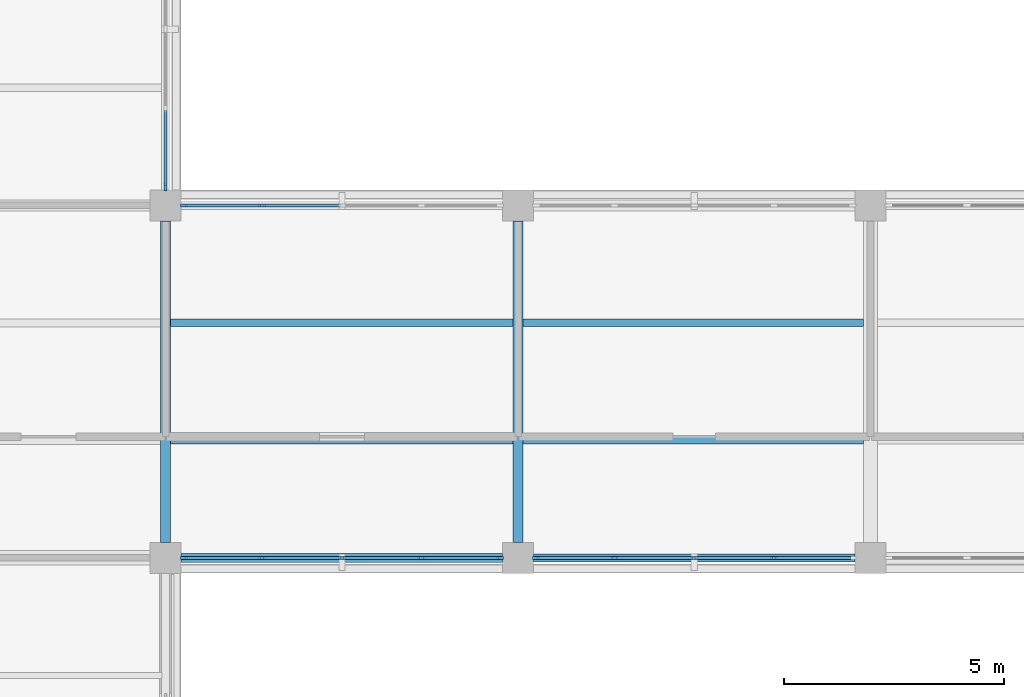
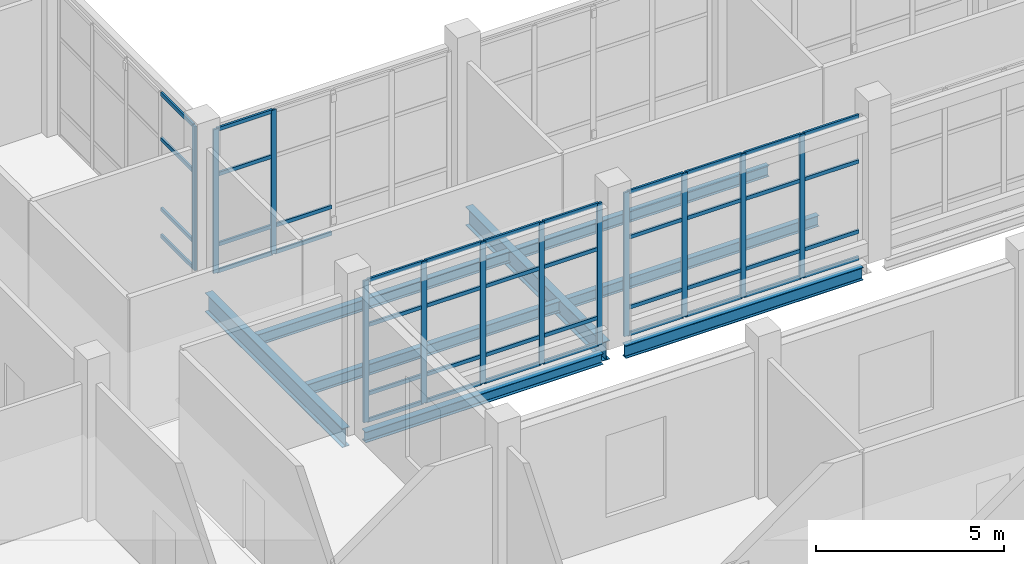
# One storey, part 11 of 105: 54 members, 8 beams, 4 elements without a shape of their own.
"""IFC4 building model written with IfcOpenShell, lengths in metres."""

from ifc_helpers import new_model, si_unit, derived_unit, direction, frame, origin, origin_2d, place, context, subcontext, project, spatial, rectangle, i_section, extrude, material, layer, layer_set, material_profile, profile_set, type_object, element, aggregate, save


model = new_model("IFC4")

# Units and contexts
model_context = context("Model", 3, precision=1e-05, world=origin(), true_north=direction((0.0, 1.0)))
body_context = subcontext(model_context, "Body", "Model", "MODEL_VIEW")
ifc_project = project(units=[si_unit("LENGTHUNIT", "METRE"), si_unit("AREAUNIT", "SQUARE_METRE"), si_unit("VOLUMEUNIT", "CUBIC_METRE"), si_unit("PLANEANGLEUNIT", "RADIAN"), si_unit("MASSUNIT", "GRAM", prefix="KILO"), derived_unit("THERMALTRANSMITTANCEUNIT", [(si_unit("MASSUNIT", "GRAM", prefix="KILO"), 1), (si_unit("TIMEUNIT", "SECOND"), -3), (si_unit("THERMODYNAMICTEMPERATUREUNIT", "KELVIN"), -1)])], contexts=[model_context])

# Site, building, storey
site_placement = place(None, origin())
site = spatial("IfcSite", under=ifc_project, at=site_placement, CompositionType="ELEMENT")
building_placement = place(site_placement, origin())
building = spatial("IfcBuilding", under=site, at=building_placement, Name="Veyamyaing Civic Hall", CompositionType="ELEMENT")
storey_placement = place(building_placement, origin())
storey = spatial("IfcBuildingStorey", under=building, at=storey_placement, Name="L00", CompositionType="ELEMENT", Elevation=0.0)

# Beams
ifc_material_1 = material(Name="Steel ASTM A992", Category="steel")
ifc_material_profile_1 = material_profile(ifc_material_1, i_section(OverallWidth=0.22998046875, OverallDepth=0.616943359375, WebThickness=0.01318359375, FlangeThickness=0.022216796875, FilletRadius=0.012939453125, at=origin_2d()), Name="W610X140")
ifc_profile_set_1 = profile_set([ifc_material_profile_1], Name="Steel ASTM A992")
beam_type_1 = type_object("IfcBeamType", Name="B-05", PredefinedType="BEAM", material=ifc_profile_set_1)
beam_1_placement = place(storey_placement, frame((16.0, 48.35009765625, -0.573486328125), z_axis=(0.0, 1.0, 0.0), x_axis=(-1.0, 0.0, 0.0)))
element("IfcBeam", 1, at=beam_1_placement, inside=storey, type_object=beam_type_1, Name="Girder B-05 L00 Grid 3 G-H", PredefinedType="BEAM", context=body_context, shape_type="SweptSolid", body=[
    extrude(i_section(OverallWidth=0.22998046875, OverallDepth=0.616943359375, WebThickness=0.01318359375, FlangeThickness=0.022216796875, FilletRadius=0.012939453125, at=origin_2d()), origin(), (0.0, 0.0, 1.0), 7.2998046875),
])
ifc_material_profile_2 = material_profile(ifc_material_1, i_section(OverallWidth=0.22802734375, OverallDepth=0.60791015625, WebThickness=0.01123046875, FlangeThickness=0.017333984375, FilletRadius=0.012939453125, at=origin_2d()), Name="W610X113")
ifc_profile_set_2 = profile_set([ifc_material_profile_2], Name="Steel ASTM A992")
beam_type_2 = type_object("IfcBeamType", Name="B-06", PredefinedType="BEAM", material=ifc_profile_set_2)
beam_2_placement = place(storey_placement, frame((24.0, 48.35009765625, -0.569091796875), z_axis=(0.0, 1.0, 0.0), x_axis=(-1.0, 0.0, 0.0)))
element("IfcBeam", 2, at=beam_2_placement, inside=storey, type_object=beam_type_2, Name="Girder B-06 L00 Grid 4 G-H", PredefinedType="BEAM", context=body_context, shape_type="SweptSolid", body=[
    extrude(i_section(OverallWidth=0.22802734375, OverallDepth=0.60791015625, WebThickness=0.01123046875, FlangeThickness=0.017333984375, FilletRadius=0.012939453125, at=origin_2d()), origin(), (0.0, 0.0, 1.0), 7.2998046875),
])
ifc_material_profile_3 = material_profile(ifc_material_1, i_section(OverallWidth=0.2041015625, OverallDepth=0.35009765625, WebThickness=0.0078125, FlangeThickness=0.01513671875, FilletRadius=0.010009765625, at=origin_2d()), Name="W360X72")
ifc_profile_set_3 = profile_set([ifc_material_profile_3], Name="Steel ASTM A992")
beam_type_3 = type_object("IfcBeamType", Name="B-11", PredefinedType="SPANDREL", material=ifc_profile_set_3)
beam_3_placement = place(storey_placement, frame((16.35009765625, 48.0, -0.43994140625), z_axis=(1.0, 0.0, 0.0), x_axis=(0.0, 1.0, 0.0)))
element("IfcBeam", 3, at=beam_3_placement, inside=storey, type_object=beam_type_3, Name="Girder B-11 L00 Grid G 3-4", PredefinedType="SPANDREL", context=body_context, shape_type="SweptSolid", body=[
    extrude(i_section(OverallWidth=0.2041015625, OverallDepth=0.35009765625, WebThickness=0.0078125, FlangeThickness=0.01513671875, FilletRadius=0.010009765625, at=origin_2d()), origin(), (0.0, 0.0, 1.0), 7.2998046875),
])
ifc_material_profile_4 = material_profile(ifc_material_1, i_section(OverallWidth=0.180908203125, OverallDepth=0.4169921875, WebThickness=0.010986328125, FlangeThickness=0.018310546875, FilletRadius=0.010009765625, at=origin_2d()), Name="W410X85")
ifc_profile_set_4 = profile_set([ifc_material_profile_4], Name="Steel ASTM A992")
beam_type_4 = type_object("IfcBeamType", Name="B-19", PredefinedType="SPANDREL", material=ifc_profile_set_4)
beam_4_placement = place(storey_placement, frame((24.35009765625, 48.0, -0.473388671875), z_axis=(1.0, 0.0, 0.0), x_axis=(0.0, 1.0, 0.0)))
element("IfcBeam", 4, at=beam_4_placement, inside=storey, type_object=beam_type_4, Name="Girder B-19 L00 Grid G 4-5", PredefinedType="SPANDREL", context=body_context, shape_type="SweptSolid", body=[
    extrude(i_section(OverallWidth=0.180908203125, OverallDepth=0.4169921875, WebThickness=0.010986328125, FlangeThickness=0.018310546875, FilletRadius=0.010009765625, at=origin_2d()), origin(), (0.0, 0.0, 1.0), 7.2998046875),
])

# Curtain wall, member
ifc_material_2 = material(Name="Anodised aluminium 6063-T6", Category="aluminium")
ifc_layer = layer(ifc_material_2, 0.159912109375, Name="Anodised aluminium 6063-T6")
ifc_layer_set = layer_set([ifc_layer], Name="Anodised aluminium 6063-T6")
curtain_wall_type = type_object("IfcCurtainWallType", Name="CW-01", PredefinedType="NOTDEFINED", material=ifc_layer_set)
curtain_wall_1_placement = place(storey_placement, origin())
curtain_wall_1 = element("IfcCurtainWall", 5, at=curtain_wall_1_placement, inside=storey, type_object=curtain_wall_type, Name="Unitized curtain wall CW-01 L00 E 2.8", PredefinedType="NOTDEFINED")
ifc_material_profile_5 = material_profile(ifc_material_2, rectangle(XDim=0.06494140625, YDim=0.159912109375, at=origin_2d()), Name="ALU-MUL-65X160")
ifc_profile_set_5 = profile_set([ifc_material_profile_5], Name="Anodised aluminium 6063-T6")
member_type_1 = type_object("IfcMemberType", Name="CWM-01", PredefinedType="MULLION", material=ifc_profile_set_5)
member_1_placement = place(storey_placement, frame((16.0, 56.41259765625, 0.0), z_axis=(0.0, 0.0, 1.0), x_axis=(-1.0, 0.0, 0.0)))
member_1 = element("IfcMember", 6, at=member_1_placement, type_object=member_type_1, Name="CW-01 mullion 1", PredefinedType="MULLION", context=body_context, shape_type="SweptSolid", body=[
    extrude(rectangle(XDim=0.06494140625, YDim=0.159912109375, at=origin_2d()), origin(), (0.0, 0.0, 1.0), 4.678955078125),
])

# Curtain wall, members
curtain_wall_2_placement = place(storey_placement, origin())
curtain_wall_2 = element("IfcCurtainWall", 7, at=curtain_wall_2_placement, inside=storey, type_object=curtain_wall_type, Name="Unitized curtain wall CW-01 L00 S 3.7", PredefinedType="NOTDEFINED")
member_2_placement = place(storey_placement, frame((16.41259765625, 48.0, 0.0), z_axis=(0.0, 0.0, 1.0), x_axis=(0.0, 1.0, 0.0)))
member_2 = element("IfcMember", 8, at=member_2_placement, type_object=member_type_1, Name="CW-01 mullion 1", PredefinedType="MULLION", context=body_context, shape_type="SweptSolid", body=[
    extrude(rectangle(XDim=0.06494140625, YDim=0.159912109375, at=origin_2d()), origin(), (0.0, 0.0, 1.0), 4.610107421875),
])
member_3_placement = place(storey_placement, frame((18.18994140625, 48.0, 0.0), z_axis=(0.0, 0.0, 1.0), x_axis=(0.0, 1.0, 0.0)))
member_3 = element("IfcMember", 9, at=member_3_placement, type_object=member_type_1, Name="CW-01 mullion 2", PredefinedType="MULLION", context=body_context, shape_type="SweptSolid", body=[
    extrude(rectangle(XDim=0.06494140625, YDim=0.159912109375, at=origin_2d()), origin(), (0.0, 0.0, 1.0), 4.610107421875),
])
member_4_placement = place(storey_placement, frame((20.0, 48.0, 0.0), z_axis=(0.0, 0.0, 1.0), x_axis=(0.0, 1.0, 0.0)))
member_4 = element("IfcMember", 10, at=member_4_placement, type_object=member_type_1, Name="CW-01 mullion 3", PredefinedType="MULLION", context=body_context, shape_type="SweptSolid", body=[
    extrude(rectangle(XDim=0.06494140625, YDim=0.159912109375, at=origin_2d()), origin(), (0.0, 0.0, 1.0), 4.610107421875),
])
member_5_placement = place(storey_placement, frame((21.81005859375, 48.0, 0.0), z_axis=(0.0, 0.0, 1.0), x_axis=(0.0, 1.0, 0.0)))
member_5 = element("IfcMember", 11, at=member_5_placement, type_object=member_type_1, Name="CW-01 mullion 4", PredefinedType="MULLION", context=body_context, shape_type="SweptSolid", body=[
    extrude(rectangle(XDim=0.06494140625, YDim=0.159912109375, at=origin_2d()), origin(), (0.0, 0.0, 1.0), 4.610107421875),
])
member_6_placement = place(storey_placement, frame((23.58740234375, 48.0, 0.0), z_axis=(0.0, 0.0, 1.0), x_axis=(0.0, 1.0, 0.0)))
member_6 = element("IfcMember", 12, at=member_6_placement, type_object=member_type_1, Name="CW-01 mullion 5", PredefinedType="MULLION", context=body_context, shape_type="SweptSolid", body=[
    extrude(rectangle(XDim=0.06494140625, YDim=0.159912109375, at=origin_2d()), origin(), (0.0, 0.0, 1.0), 4.610107421875),
])

curtain_wall_3_placement = place(storey_placement, origin())
curtain_wall_3 = element("IfcCurtainWall", 13, at=curtain_wall_3_placement, inside=storey, type_object=curtain_wall_type, Name="Unitized curtain wall CW-01 L00 N 3.7", PredefinedType="NOTDEFINED")
member_7_placement = place(storey_placement, frame((16.41259765625, 56.0, 0.0), z_axis=(0.0, 0.0, 1.0), x_axis=(0.0, 1.0, 0.0)))
member_7 = element("IfcMember", 14, at=member_7_placement, type_object=member_type_1, Name="CW-01 mullion 1", PredefinedType="MULLION", context=body_context, shape_type="SweptSolid", body=[
    extrude(rectangle(XDim=0.06494140625, YDim=0.159912109375, at=origin_2d()), origin(), (0.0, 0.0, 1.0), 4.674072265625),
])
member_8_placement = place(storey_placement, frame((18.18994140625, 56.0, 0.0), z_axis=(0.0, 0.0, 1.0), x_axis=(0.0, 1.0, 0.0)))
member_8 = element("IfcMember", 15, at=member_8_placement, type_object=member_type_1, Name="CW-01 mullion 2", PredefinedType="MULLION", context=body_context, shape_type="SweptSolid", body=[
    extrude(rectangle(XDim=0.06494140625, YDim=0.159912109375, at=origin_2d()), origin(), (0.0, 0.0, 1.0), 4.674072265625),
])

curtain_wall_4_placement = place(storey_placement, origin())
curtain_wall_4 = element("IfcCurtainWall", 16, at=curtain_wall_4_placement, inside=storey, type_object=curtain_wall_type, Name="Unitized curtain wall CW-01 L00 S 4.7", PredefinedType="NOTDEFINED")
member_9_placement = place(storey_placement, frame((24.41259765625, 48.0, 0.0), z_axis=(0.0, 0.0, 1.0), x_axis=(0.0, 1.0, 0.0)))
member_9 = element("IfcMember", 17, at=member_9_placement, type_object=member_type_1, Name="CW-01 mullion 1", PredefinedType="MULLION", context=body_context, shape_type="SweptSolid", body=[
    extrude(rectangle(XDim=0.06494140625, YDim=0.159912109375, at=origin_2d()), origin(), (0.0, 0.0, 1.0), 4.674072265625),
])
member_10_placement = place(storey_placement, frame((26.18994140625, 48.0, 0.0), z_axis=(0.0, 0.0, 1.0), x_axis=(0.0, 1.0, 0.0)))
member_10 = element("IfcMember", 18, at=member_10_placement, type_object=member_type_1, Name="CW-01 mullion 2", PredefinedType="MULLION", context=body_context, shape_type="SweptSolid", body=[
    extrude(rectangle(XDim=0.06494140625, YDim=0.159912109375, at=origin_2d()), origin(), (0.0, 0.0, 1.0), 4.674072265625),
])
member_11_placement = place(storey_placement, frame((28.0, 48.0, 0.0), z_axis=(0.0, 0.0, 1.0), x_axis=(0.0, 1.0, 0.0)))
member_11 = element("IfcMember", 19, at=member_11_placement, type_object=member_type_1, Name="CW-01 mullion 3", PredefinedType="MULLION", context=body_context, shape_type="SweptSolid", body=[
    extrude(rectangle(XDim=0.06494140625, YDim=0.159912109375, at=origin_2d()), origin(), (0.0, 0.0, 1.0), 4.674072265625),
])
member_12_placement = place(storey_placement, frame((29.81005859375, 48.0, 0.0), z_axis=(0.0, 0.0, 1.0), x_axis=(0.0, 1.0, 0.0)))
member_12 = element("IfcMember", 20, at=member_12_placement, type_object=member_type_1, Name="CW-01 mullion 4", PredefinedType="MULLION", context=body_context, shape_type="SweptSolid", body=[
    extrude(rectangle(XDim=0.06494140625, YDim=0.159912109375, at=origin_2d()), origin(), (0.0, 0.0, 1.0), 4.674072265625),
])

# Member
ifc_material_profile_6 = material_profile(ifc_material_2, rectangle(XDim=0.06494140625, YDim=0.1201171875, at=origin_2d()), Name="ALU-TRN-65X120")
ifc_profile_set_6 = profile_set([ifc_material_profile_6], Name="Anodised aluminium 6063-T6")
member_type_2 = type_object("IfcMemberType", Name="CWT-01", PredefinedType="USERDEFINED", material=ifc_profile_set_6)
member_13_placement = place(storey_placement, frame((16.0, 56.445068359375, 0.032470703125), z_axis=(0.0, 1.0, 0.0), x_axis=(-1.0, 0.0, 0.0)))
member_13 = element("IfcMember", 21, at=member_13_placement, type_object=member_type_2, Name="CW-01 transom 1.1", ObjectType="TRANSOM", PredefinedType="USERDEFINED", context=body_context, shape_type="SweptSolid", body=[
    extrude(rectangle(XDim=0.06494140625, YDim=0.1201171875, at=origin_2d()), origin(), (0.0, 0.0, 1.0), 1.71240234375),
])

member_14_placement = place(storey_placement, frame((16.0, 56.445068359375, 0.89990234375), z_axis=(0.0, 1.0, 0.0), x_axis=(-1.0, 0.0, 0.0)))
member_14 = element("IfcMember", 22, at=member_14_placement, type_object=member_type_2, Name="CW-01 transom 1.2", ObjectType="TRANSOM", PredefinedType="USERDEFINED", context=body_context, shape_type="SweptSolid", body=[
    extrude(rectangle(XDim=0.06494140625, YDim=0.1201171875, at=origin_2d()), origin(), (0.0, 0.0, 1.0), 1.71240234375),
])

member_15_placement = place(storey_placement, frame((16.0, 56.445068359375, 3.181640625), z_axis=(0.0, 1.0, 0.0), x_axis=(-1.0, 0.0, 0.0)))
member_15 = element("IfcMember", 23, at=member_15_placement, type_object=member_type_2, Name="CW-01 transom 1.3", ObjectType="TRANSOM", PredefinedType="USERDEFINED", context=body_context, shape_type="SweptSolid", body=[
    extrude(rectangle(XDim=0.06494140625, YDim=0.1201171875, at=origin_2d()), origin(), (0.0, 0.0, 1.0), 1.71240234375),
])

member_16_placement = place(storey_placement, frame((16.0, 56.445068359375, 4.646484375), z_axis=(0.0, 1.0, 0.0), x_axis=(-1.0, 0.0, 0.0)))
member_16 = element("IfcMember", 24, at=member_16_placement, type_object=member_type_2, Name="CW-01 transom 1.4", ObjectType="TRANSOM", PredefinedType="USERDEFINED", context=body_context, shape_type="SweptSolid", body=[
    extrude(rectangle(XDim=0.06494140625, YDim=0.1201171875, at=origin_2d()), origin(), (0.0, 0.0, 1.0), 1.71240234375),
])

aggregate(curtain_wall_1, [member_1, member_13, member_14, member_15, member_16])

member_17_placement = place(storey_placement, frame((16.445068359375, 48.0, 0.032470703125), z_axis=(1.0, 0.0, 0.0), x_axis=(0.0, 1.0, 0.0)))
member_17 = element("IfcMember", 25, at=member_17_placement, type_object=member_type_2, Name="CW-01 transom 1.1", ObjectType="TRANSOM", PredefinedType="USERDEFINED", context=body_context, shape_type="SweptSolid", body=[
    extrude(rectangle(XDim=0.06494140625, YDim=0.1201171875, at=origin_2d()), origin(), (0.0, 0.0, 1.0), 1.71240234375),
])

member_18_placement = place(storey_placement, frame((16.445068359375, 48.0, 0.89990234375), z_axis=(1.0, 0.0, 0.0), x_axis=(0.0, 1.0, 0.0)))
member_18 = element("IfcMember", 26, at=member_18_placement, type_object=member_type_2, Name="CW-01 transom 1.2", ObjectType="TRANSOM", PredefinedType="USERDEFINED", context=body_context, shape_type="SweptSolid", body=[
    extrude(rectangle(XDim=0.06494140625, YDim=0.1201171875, at=origin_2d()), origin(), (0.0, 0.0, 1.0), 1.71240234375),
])

member_19_placement = place(storey_placement, frame((16.445068359375, 48.0, 3.134765625), z_axis=(1.0, 0.0, 0.0), x_axis=(0.0, 1.0, 0.0)))
member_19 = element("IfcMember", 27, at=member_19_placement, type_object=member_type_2, Name="CW-01 transom 1.3", ObjectType="TRANSOM", PredefinedType="USERDEFINED", context=body_context, shape_type="SweptSolid", body=[
    extrude(rectangle(XDim=0.06494140625, YDim=0.1201171875, at=origin_2d()), origin(), (0.0, 0.0, 1.0), 1.71240234375),
])

member_20_placement = place(storey_placement, frame((16.445068359375, 48.0, 4.577392578125), z_axis=(1.0, 0.0, 0.0), x_axis=(0.0, 1.0, 0.0)))
member_20 = element("IfcMember", 28, at=member_20_placement, type_object=member_type_2, Name="CW-01 transom 1.4", ObjectType="TRANSOM", PredefinedType="USERDEFINED", context=body_context, shape_type="SweptSolid", body=[
    extrude(rectangle(XDim=0.06494140625, YDim=0.1201171875, at=origin_2d()), origin(), (0.0, 0.0, 1.0), 1.71240234375),
])

member_21_placement = place(storey_placement, frame((18.222412109375, 48.0, 0.032470703125), z_axis=(1.0, 0.0, 0.0), x_axis=(0.0, 1.0, 0.0)))
member_21 = element("IfcMember", 29, at=member_21_placement, type_object=member_type_2, Name="CW-01 transom 2.1", ObjectType="TRANSOM", PredefinedType="USERDEFINED", context=body_context, shape_type="SweptSolid", body=[
    extrude(rectangle(XDim=0.06494140625, YDim=0.1201171875, at=origin_2d()), origin(), (0.0, 0.0, 1.0), 1.7451171875),
])

member_22_placement = place(storey_placement, frame((18.222412109375, 48.0, 0.89990234375), z_axis=(1.0, 0.0, 0.0), x_axis=(0.0, 1.0, 0.0)))
member_22 = element("IfcMember", 30, at=member_22_placement, type_object=member_type_2, Name="CW-01 transom 2.2", ObjectType="TRANSOM", PredefinedType="USERDEFINED", context=body_context, shape_type="SweptSolid", body=[
    extrude(rectangle(XDim=0.06494140625, YDim=0.1201171875, at=origin_2d()), origin(), (0.0, 0.0, 1.0), 1.7451171875),
])

member_23_placement = place(storey_placement, frame((18.222412109375, 48.0, 3.134765625), z_axis=(1.0, 0.0, 0.0), x_axis=(0.0, 1.0, 0.0)))
member_23 = element("IfcMember", 31, at=member_23_placement, type_object=member_type_2, Name="CW-01 transom 2.3", ObjectType="TRANSOM", PredefinedType="USERDEFINED", context=body_context, shape_type="SweptSolid", body=[
    extrude(rectangle(XDim=0.06494140625, YDim=0.1201171875, at=origin_2d()), origin(), (0.0, 0.0, 1.0), 1.7451171875),
])

member_24_placement = place(storey_placement, frame((18.222412109375, 48.0, 4.577392578125), z_axis=(1.0, 0.0, 0.0), x_axis=(0.0, 1.0, 0.0)))
member_24 = element("IfcMember", 32, at=member_24_placement, type_object=member_type_2, Name="CW-01 transom 2.4", ObjectType="TRANSOM", PredefinedType="USERDEFINED", context=body_context, shape_type="SweptSolid", body=[
    extrude(rectangle(XDim=0.06494140625, YDim=0.1201171875, at=origin_2d()), origin(), (0.0, 0.0, 1.0), 1.7451171875),
])

member_25_placement = place(storey_placement, frame((20.032470703125, 48.0, 0.032470703125), z_axis=(1.0, 0.0, 0.0), x_axis=(0.0, 1.0, 0.0)))
member_25 = element("IfcMember", 33, at=member_25_placement, type_object=member_type_2, Name="CW-01 transom 3.1", ObjectType="TRANSOM", PredefinedType="USERDEFINED", context=body_context, shape_type="SweptSolid", body=[
    extrude(rectangle(XDim=0.06494140625, YDim=0.1201171875, at=origin_2d()), origin(), (0.0, 0.0, 1.0), 1.7451171875),
])

member_26_placement = place(storey_placement, frame((20.032470703125, 48.0, 0.89990234375), z_axis=(1.0, 0.0, 0.0), x_axis=(0.0, 1.0, 0.0)))
member_26 = element("IfcMember", 34, at=member_26_placement, type_object=member_type_2, Name="CW-01 transom 3.2", ObjectType="TRANSOM", PredefinedType="USERDEFINED", context=body_context, shape_type="SweptSolid", body=[
    extrude(rectangle(XDim=0.06494140625, YDim=0.1201171875, at=origin_2d()), origin(), (0.0, 0.0, 1.0), 1.7451171875),
])

member_27_placement = place(storey_placement, frame((20.032470703125, 48.0, 3.134765625), z_axis=(1.0, 0.0, 0.0), x_axis=(0.0, 1.0, 0.0)))
member_27 = element("IfcMember", 35, at=member_27_placement, type_object=member_type_2, Name="CW-01 transom 3.3", ObjectType="TRANSOM", PredefinedType="USERDEFINED", context=body_context, shape_type="SweptSolid", body=[
    extrude(rectangle(XDim=0.06494140625, YDim=0.1201171875, at=origin_2d()), origin(), (0.0, 0.0, 1.0), 1.7451171875),
])

member_28_placement = place(storey_placement, frame((20.032470703125, 48.0, 4.577392578125), z_axis=(1.0, 0.0, 0.0), x_axis=(0.0, 1.0, 0.0)))
member_28 = element("IfcMember", 36, at=member_28_placement, type_object=member_type_2, Name="CW-01 transom 3.4", ObjectType="TRANSOM", PredefinedType="USERDEFINED", context=body_context, shape_type="SweptSolid", body=[
    extrude(rectangle(XDim=0.06494140625, YDim=0.1201171875, at=origin_2d()), origin(), (0.0, 0.0, 1.0), 1.7451171875),
])

member_29_placement = place(storey_placement, frame((21.842529296875, 48.0, 0.032470703125), z_axis=(1.0, 0.0, 0.0), x_axis=(0.0, 1.0, 0.0)))
member_29 = element("IfcMember", 37, at=member_29_placement, type_object=member_type_2, Name="CW-01 transom 4.1", ObjectType="TRANSOM", PredefinedType="USERDEFINED", context=body_context, shape_type="SweptSolid", body=[
    extrude(rectangle(XDim=0.06494140625, YDim=0.1201171875, at=origin_2d()), origin(), (0.0, 0.0, 1.0), 1.71240234375),
])

member_30_placement = place(storey_placement, frame((21.842529296875, 48.0, 0.89990234375), z_axis=(1.0, 0.0, 0.0), x_axis=(0.0, 1.0, 0.0)))
member_30 = element("IfcMember", 38, at=member_30_placement, type_object=member_type_2, Name="CW-01 transom 4.2", ObjectType="TRANSOM", PredefinedType="USERDEFINED", context=body_context, shape_type="SweptSolid", body=[
    extrude(rectangle(XDim=0.06494140625, YDim=0.1201171875, at=origin_2d()), origin(), (0.0, 0.0, 1.0), 1.71240234375),
])

member_31_placement = place(storey_placement, frame((21.842529296875, 48.0, 3.134765625), z_axis=(1.0, 0.0, 0.0), x_axis=(0.0, 1.0, 0.0)))
member_31 = element("IfcMember", 39, at=member_31_placement, type_object=member_type_2, Name="CW-01 transom 4.3", ObjectType="TRANSOM", PredefinedType="USERDEFINED", context=body_context, shape_type="SweptSolid", body=[
    extrude(rectangle(XDim=0.06494140625, YDim=0.1201171875, at=origin_2d()), origin(), (0.0, 0.0, 1.0), 1.71240234375),
])

member_32_placement = place(storey_placement, frame((21.842529296875, 48.0, 4.577392578125), z_axis=(1.0, 0.0, 0.0), x_axis=(0.0, 1.0, 0.0)))
member_32 = element("IfcMember", 40, at=member_32_placement, type_object=member_type_2, Name="CW-01 transom 4.4", ObjectType="TRANSOM", PredefinedType="USERDEFINED", context=body_context, shape_type="SweptSolid", body=[
    extrude(rectangle(XDim=0.06494140625, YDim=0.1201171875, at=origin_2d()), origin(), (0.0, 0.0, 1.0), 1.71240234375),
])

aggregate(curtain_wall_2, [member_2, member_3, member_4, member_5, member_6, member_17, member_18, member_19, member_20, member_21, member_22, member_23, member_24, member_25, member_26, member_27, member_28, member_29, member_30, member_31, member_32])

member_33_placement = place(storey_placement, frame((16.445068359375, 56.0, 0.032470703125), z_axis=(1.0, 0.0, 0.0), x_axis=(0.0, 1.0, 0.0)))
member_33 = element("IfcMember", 41, at=member_33_placement, type_object=member_type_2, Name="CW-01 transom 1.1", ObjectType="TRANSOM", PredefinedType="USERDEFINED", context=body_context, shape_type="SweptSolid", body=[
    extrude(rectangle(XDim=0.06494140625, YDim=0.1201171875, at=origin_2d()), origin(), (0.0, 0.0, 1.0), 1.71240234375),
])

member_34_placement = place(storey_placement, frame((16.445068359375, 56.0, 0.89990234375), z_axis=(1.0, 0.0, 0.0), x_axis=(0.0, 1.0, 0.0)))
member_34 = element("IfcMember", 42, at=member_34_placement, type_object=member_type_2, Name="CW-01 transom 1.2", ObjectType="TRANSOM", PredefinedType="USERDEFINED", context=body_context, shape_type="SweptSolid", body=[
    extrude(rectangle(XDim=0.06494140625, YDim=0.1201171875, at=origin_2d()), origin(), (0.0, 0.0, 1.0), 1.71240234375),
])

member_35_placement = place(storey_placement, frame((16.445068359375, 56.0, 3.17822265625), z_axis=(1.0, 0.0, 0.0), x_axis=(0.0, 1.0, 0.0)))
member_35 = element("IfcMember", 43, at=member_35_placement, type_object=member_type_2, Name="CW-01 transom 1.3", ObjectType="TRANSOM", PredefinedType="USERDEFINED", context=body_context, shape_type="SweptSolid", body=[
    extrude(rectangle(XDim=0.06494140625, YDim=0.1201171875, at=origin_2d()), origin(), (0.0, 0.0, 1.0), 1.71240234375),
])

member_36_placement = place(storey_placement, frame((16.445068359375, 56.0, 4.6416015625), z_axis=(1.0, 0.0, 0.0), x_axis=(0.0, 1.0, 0.0)))
member_36 = element("IfcMember", 44, at=member_36_placement, type_object=member_type_2, Name="CW-01 transom 1.4", ObjectType="TRANSOM", PredefinedType="USERDEFINED", context=body_context, shape_type="SweptSolid", body=[
    extrude(rectangle(XDim=0.06494140625, YDim=0.1201171875, at=origin_2d()), origin(), (0.0, 0.0, 1.0), 1.71240234375),
])

member_37_placement = place(storey_placement, frame((18.222412109375, 56.0, 0.032470703125), z_axis=(1.0, 0.0, 0.0), x_axis=(0.0, 1.0, 0.0)))
member_37 = element("IfcMember", 45, at=member_37_placement, type_object=member_type_2, Name="CW-01 transom 2.1", ObjectType="TRANSOM", PredefinedType="USERDEFINED", context=body_context, shape_type="SweptSolid", body=[
    extrude(rectangle(XDim=0.06494140625, YDim=0.1201171875, at=origin_2d()), origin(), (0.0, 0.0, 1.0), 1.7451171875),
])

member_38_placement = place(storey_placement, frame((18.222412109375, 56.0, 0.89990234375), z_axis=(1.0, 0.0, 0.0), x_axis=(0.0, 1.0, 0.0)))
member_38 = element("IfcMember", 46, at=member_38_placement, type_object=member_type_2, Name="CW-01 transom 2.2", ObjectType="TRANSOM", PredefinedType="USERDEFINED", context=body_context, shape_type="SweptSolid", body=[
    extrude(rectangle(XDim=0.06494140625, YDim=0.1201171875, at=origin_2d()), origin(), (0.0, 0.0, 1.0), 1.7451171875),
])

aggregate(curtain_wall_3, [member_7, member_8, member_33, member_34, member_35, member_36, member_37, member_38])

member_39_placement = place(storey_placement, frame((24.445068359375, 48.0, 0.032470703125), z_axis=(1.0, 0.0, 0.0), x_axis=(0.0, 1.0, 0.0)))
member_39 = element("IfcMember", 47, at=member_39_placement, type_object=member_type_2, Name="CW-01 transom 1.1", ObjectType="TRANSOM", PredefinedType="USERDEFINED", context=body_context, shape_type="SweptSolid", body=[
    extrude(rectangle(XDim=0.06494140625, YDim=0.1201171875, at=origin_2d()), origin(), (0.0, 0.0, 1.0), 1.71240234375),
])

member_40_placement = place(storey_placement, frame((24.445068359375, 48.0, 0.89990234375), z_axis=(1.0, 0.0, 0.0), x_axis=(0.0, 1.0, 0.0)))
member_40 = element("IfcMember", 48, at=member_40_placement, type_object=member_type_2, Name="CW-01 transom 1.2", ObjectType="TRANSOM", PredefinedType="USERDEFINED", context=body_context, shape_type="SweptSolid", body=[
    extrude(rectangle(XDim=0.06494140625, YDim=0.1201171875, at=origin_2d()), origin(), (0.0, 0.0, 1.0), 1.71240234375),
])

member_41_placement = place(storey_placement, frame((24.445068359375, 48.0, 3.17822265625), z_axis=(1.0, 0.0, 0.0), x_axis=(0.0, 1.0, 0.0)))
member_41 = element("IfcMember", 49, at=member_41_placement, type_object=member_type_2, Name="CW-01 transom 1.3", ObjectType="TRANSOM", PredefinedType="USERDEFINED", context=body_context, shape_type="SweptSolid", body=[
    extrude(rectangle(XDim=0.06494140625, YDim=0.1201171875, at=origin_2d()), origin(), (0.0, 0.0, 1.0), 1.71240234375),
])

member_42_placement = place(storey_placement, frame((24.445068359375, 48.0, 4.6416015625), z_axis=(1.0, 0.0, 0.0), x_axis=(0.0, 1.0, 0.0)))
member_42 = element("IfcMember", 50, at=member_42_placement, type_object=member_type_2, Name="CW-01 transom 1.4", ObjectType="TRANSOM", PredefinedType="USERDEFINED", context=body_context, shape_type="SweptSolid", body=[
    extrude(rectangle(XDim=0.06494140625, YDim=0.1201171875, at=origin_2d()), origin(), (0.0, 0.0, 1.0), 1.71240234375),
])

member_43_placement = place(storey_placement, frame((26.222412109375, 48.0, 0.032470703125), z_axis=(1.0, 0.0, 0.0), x_axis=(0.0, 1.0, 0.0)))
member_43 = element("IfcMember", 51, at=member_43_placement, type_object=member_type_2, Name="CW-01 transom 2.1", ObjectType="TRANSOM", PredefinedType="USERDEFINED", context=body_context, shape_type="SweptSolid", body=[
    extrude(rectangle(XDim=0.06494140625, YDim=0.1201171875, at=origin_2d()), origin(), (0.0, 0.0, 1.0), 1.7451171875),
])

member_44_placement = place(storey_placement, frame((26.222412109375, 48.0, 0.89990234375), z_axis=(1.0, 0.0, 0.0), x_axis=(0.0, 1.0, 0.0)))
member_44 = element("IfcMember", 52, at=member_44_placement, type_object=member_type_2, Name="CW-01 transom 2.2", ObjectType="TRANSOM", PredefinedType="USERDEFINED", context=body_context, shape_type="SweptSolid", body=[
    extrude(rectangle(XDim=0.06494140625, YDim=0.1201171875, at=origin_2d()), origin(), (0.0, 0.0, 1.0), 1.7451171875),
])

member_45_placement = place(storey_placement, frame((26.222412109375, 48.0, 3.17822265625), z_axis=(1.0, 0.0, 0.0), x_axis=(0.0, 1.0, 0.0)))
member_45 = element("IfcMember", 53, at=member_45_placement, type_object=member_type_2, Name="CW-01 transom 2.3", ObjectType="TRANSOM", PredefinedType="USERDEFINED", context=body_context, shape_type="SweptSolid", body=[
    extrude(rectangle(XDim=0.06494140625, YDim=0.1201171875, at=origin_2d()), origin(), (0.0, 0.0, 1.0), 1.7451171875),
])

member_46_placement = place(storey_placement, frame((26.222412109375, 48.0, 4.6416015625), z_axis=(1.0, 0.0, 0.0), x_axis=(0.0, 1.0, 0.0)))
member_46 = element("IfcMember", 54, at=member_46_placement, type_object=member_type_2, Name="CW-01 transom 2.4", ObjectType="TRANSOM", PredefinedType="USERDEFINED", context=body_context, shape_type="SweptSolid", body=[
    extrude(rectangle(XDim=0.06494140625, YDim=0.1201171875, at=origin_2d()), origin(), (0.0, 0.0, 1.0), 1.7451171875),
])

member_47_placement = place(storey_placement, frame((28.032470703125, 48.0, 0.032470703125), z_axis=(1.0, 0.0, 0.0), x_axis=(0.0, 1.0, 0.0)))
member_47 = element("IfcMember", 55, at=member_47_placement, type_object=member_type_2, Name="CW-01 transom 3.1", ObjectType="TRANSOM", PredefinedType="USERDEFINED", context=body_context, shape_type="SweptSolid", body=[
    extrude(rectangle(XDim=0.06494140625, YDim=0.1201171875, at=origin_2d()), origin(), (0.0, 0.0, 1.0), 1.7451171875),
])

member_48_placement = place(storey_placement, frame((28.032470703125, 48.0, 0.89990234375), z_axis=(1.0, 0.0, 0.0), x_axis=(0.0, 1.0, 0.0)))
member_48 = element("IfcMember", 56, at=member_48_placement, type_object=member_type_2, Name="CW-01 transom 3.2", ObjectType="TRANSOM", PredefinedType="USERDEFINED", context=body_context, shape_type="SweptSolid", body=[
    extrude(rectangle(XDim=0.06494140625, YDim=0.1201171875, at=origin_2d()), origin(), (0.0, 0.0, 1.0), 1.7451171875),
])

member_49_placement = place(storey_placement, frame((28.032470703125, 48.0, 3.17822265625), z_axis=(1.0, 0.0, 0.0), x_axis=(0.0, 1.0, 0.0)))
member_49 = element("IfcMember", 57, at=member_49_placement, type_object=member_type_2, Name="CW-01 transom 3.3", ObjectType="TRANSOM", PredefinedType="USERDEFINED", context=body_context, shape_type="SweptSolid", body=[
    extrude(rectangle(XDim=0.06494140625, YDim=0.1201171875, at=origin_2d()), origin(), (0.0, 0.0, 1.0), 1.7451171875),
])

member_50_placement = place(storey_placement, frame((28.032470703125, 48.0, 4.6416015625), z_axis=(1.0, 0.0, 0.0), x_axis=(0.0, 1.0, 0.0)))
member_50 = element("IfcMember", 58, at=member_50_placement, type_object=member_type_2, Name="CW-01 transom 3.4", ObjectType="TRANSOM", PredefinedType="USERDEFINED", context=body_context, shape_type="SweptSolid", body=[
    extrude(rectangle(XDim=0.06494140625, YDim=0.1201171875, at=origin_2d()), origin(), (0.0, 0.0, 1.0), 1.7451171875),
])

member_51_placement = place(storey_placement, frame((29.842529296875, 48.0, 0.032470703125), z_axis=(1.0, 0.0, 0.0), x_axis=(0.0, 1.0, 0.0)))
member_51 = element("IfcMember", 59, at=member_51_placement, type_object=member_type_2, Name="CW-01 transom 4.1", ObjectType="TRANSOM", PredefinedType="USERDEFINED", context=body_context, shape_type="SweptSolid", body=[
    extrude(rectangle(XDim=0.06494140625, YDim=0.1201171875, at=origin_2d()), origin(), (0.0, 0.0, 1.0), 1.71240234375),
])

member_52_placement = place(storey_placement, frame((29.842529296875, 48.0, 0.89990234375), z_axis=(1.0, 0.0, 0.0), x_axis=(0.0, 1.0, 0.0)))
member_52 = element("IfcMember", 60, at=member_52_placement, type_object=member_type_2, Name="CW-01 transom 4.2", ObjectType="TRANSOM", PredefinedType="USERDEFINED", context=body_context, shape_type="SweptSolid", body=[
    extrude(rectangle(XDim=0.06494140625, YDim=0.1201171875, at=origin_2d()), origin(), (0.0, 0.0, 1.0), 1.71240234375),
])

member_53_placement = place(storey_placement, frame((29.842529296875, 48.0, 3.17822265625), z_axis=(1.0, 0.0, 0.0), x_axis=(0.0, 1.0, 0.0)))
member_53 = element("IfcMember", 61, at=member_53_placement, type_object=member_type_2, Name="CW-01 transom 4.3", ObjectType="TRANSOM", PredefinedType="USERDEFINED", context=body_context, shape_type="SweptSolid", body=[
    extrude(rectangle(XDim=0.06494140625, YDim=0.1201171875, at=origin_2d()), origin(), (0.0, 0.0, 1.0), 1.71240234375),
])

member_54_placement = place(storey_placement, frame((29.842529296875, 48.0, 4.6416015625), z_axis=(1.0, 0.0, 0.0), x_axis=(0.0, 1.0, 0.0)))
member_54 = element("IfcMember", 62, at=member_54_placement, type_object=member_type_2, Name="CW-01 transom 4.4", ObjectType="TRANSOM", PredefinedType="USERDEFINED", context=body_context, shape_type="SweptSolid", body=[
    extrude(rectangle(XDim=0.06494140625, YDim=0.1201171875, at=origin_2d()), origin(), (0.0, 0.0, 1.0), 1.71240234375),
])

aggregate(curtain_wall_4, [member_9, member_10, member_11, member_12, member_39, member_40, member_41, member_42, member_43, member_44, member_45, member_46, member_47, member_48, member_49, member_50, member_51, member_52, member_53, member_54])

# Beams
ifc_material_profile_7 = material_profile(ifc_material_1, i_section(OverallWidth=0.172119140625, OverallDepth=0.35791015625, WebThickness=0.0078125, FlangeThickness=0.01318359375, FilletRadius=0.010009765625, at=origin_2d()), Name="W360X57")
ifc_profile_set_7 = profile_set([ifc_material_profile_7], Name="Steel ASTM A992")
beam_type_5 = type_object("IfcBeamType", Name="J-02", PredefinedType="JOIST", material=ifc_profile_set_7)
for number, where, z_axis, x_axis, name in (
    (63, (16.113037109375, 50.666748046875, -0.444091796875), (1.0, 0.0, 0.0), (0.0, 1.0, 0.0), "Composite floor joist J-02 L00 3.7.1"),
    (64, (16.113037109375, 53.333251953125, -0.444091796875), (1.0, 0.0, 0.0), (0.0, 1.0, 0.0), "Composite floor joist J-02 L00 3.7.2"),
):
    element("IfcBeam", number, at=place(storey_placement, frame(where, z_axis=z_axis, x_axis=x_axis)), inside=storey, type_object=beam_type_5, Name=name, PredefinedType="JOIST", context=body_context, shape_type="SweptSolid", body=[
        extrude(i_section(OverallWidth=0.172119140625, OverallDepth=0.35791015625, WebThickness=0.0078125, FlangeThickness=0.01318359375, FilletRadius=0.010009765625, at=origin_2d()), origin(), (0.0, 0.0, 1.0), 7.77490234375),
    ])
ifc_material_profile_8 = material_profile(ifc_material_1, i_section(OverallWidth=0.1708984375, OverallDepth=0.35205078125, WebThickness=0.0068359375, FlangeThickness=0.009765625, FilletRadius=0.010009765625, at=origin_2d()), Name="W360X44")
ifc_profile_set_8 = profile_set([ifc_material_profile_8], Name="Steel ASTM A992")
beam_type_6 = type_object("IfcBeamType", Name="J-03", PredefinedType="JOIST", material=ifc_profile_set_8)
for number, where, z_axis, x_axis, name in (
    (65, (24.112060546875, 50.666748046875, -0.44091796875), (1.0, 0.0, 0.0), (0.0, 1.0, 0.0), "Composite floor joist J-03 L00 4.7.1"),
    (66, (24.112060546875, 53.333251953125, -0.44091796875), (1.0, 0.0, 0.0), (0.0, 1.0, 0.0), "Composite floor joist J-03 L00 4.7.2"),
):
    element("IfcBeam", number, at=place(storey_placement, frame(where, z_axis=z_axis, x_axis=x_axis)), inside=storey, type_object=beam_type_6, Name=name, PredefinedType="JOIST", context=body_context, shape_type="SweptSolid", body=[
        extrude(i_section(OverallWidth=0.1708984375, OverallDepth=0.35205078125, WebThickness=0.0068359375, FlangeThickness=0.009765625, FilletRadius=0.010009765625, at=origin_2d()), origin(), (0.0, 0.0, 1.0), 7.7275390625),
    ])

save(model, "model.ifc")
